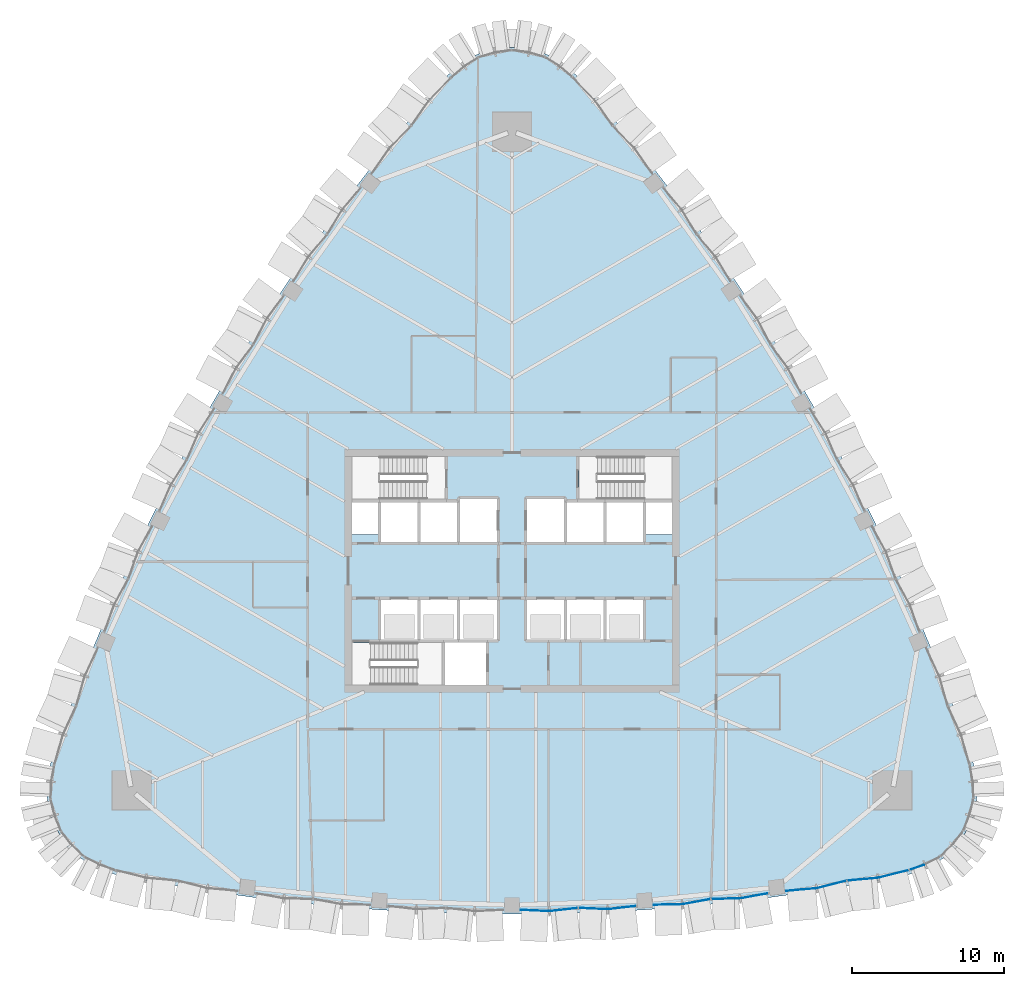
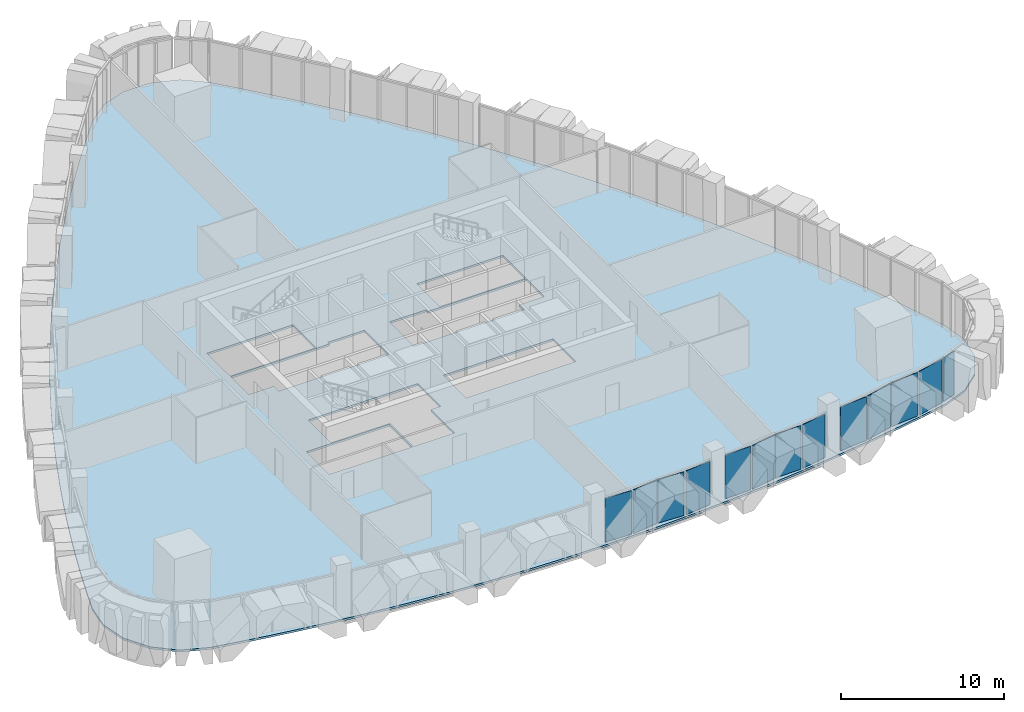
# One storey, part 9 of 18: 13 plates, 1 slab, 4 elements without a shape of their own.
"""IFC4 building model written with IfcOpenShell, lengths in metres."""

from ifc_helpers import new_model, si_unit, direction, frame, origin, place, context, subcontext, project, spatial, polyline, outline, extrude, material, layer, layer_set, type_object, element, aggregate, save


model = new_model("IFC4")

# Units and contexts
model_context = context("Model", 3, precision=1e-05, world=origin(), true_north=direction((0.0, 1.0)))
body_context = subcontext(model_context, "Body", "Model", "MODEL_VIEW")
ifc_project = project(units=[si_unit("LENGTHUNIT", "METRE"), si_unit("AREAUNIT", "SQUARE_METRE"), si_unit("VOLUMEUNIT", "CUBIC_METRE"), si_unit("PLANEANGLEUNIT", "RADIAN"), si_unit("MASSUNIT", "GRAM", prefix="KILO")], contexts=[model_context])

# Site, building, storey
site_placement = place(None, origin())
site = spatial("IfcSite", under=ifc_project, at=site_placement, CompositionType="ELEMENT")
building_placement = place(site_placement, origin())
building = spatial("IfcBuilding", under=site, at=building_placement, Name="Sierra Prisma Convention Tower", CompositionType="ELEMENT")
storey_placement = place(building_placement, frame((0.0, 0.0, 129.800048828125)))
storey = spatial("IfcBuildingStorey", under=building, at=storey_placement, Name="L27", CompositionType="ELEMENT", Elevation=129.800048828125)

# Curtain wall, plates
ifc_material_1 = material(Name="Aluminium and glass curtain wall", Category="aluminium")
ifc_layer_1 = layer(ifc_material_1, 0.179931640625)
ifc_layer_set_1 = layer_set([ifc_layer_1], Name="CW-2 Faceted crystal curtain wall")
curtain_wall_type = type_object("IfcCurtainWallType", Name="CW-2 Faceted crystal curtain wall", PredefinedType="NOTDEFINED", material=ifc_layer_set_1)
curtain_wall_1_placement = place(storey_placement, origin())
curtain_wall_1 = element("IfcCurtainWall", 1, at=curtain_wall_1_placement, inside=storey, type_object=curtain_wall_type, Name="CW-2 S4 L27", PredefinedType="NOTDEFINED")
ifc_material_2 = material(Name="Tinted glass bronze-grey IGU", Category="glass")
ifc_layer_2 = layer(ifc_material_2, 0.028076171875)
ifc_layer_set_2 = layer_set([ifc_layer_2], Name="CW-2 crystal pane")
plate_type = type_object("IfcPlateType", Name="CW-2 crystal pane", PredefinedType="CURTAIN_PANEL", material=ifc_layer_set_2)
plate_1_placement = place(storey_placement, frame((0.569580078125, -22.27099609375, 0.0), z_axis=(-0.045066945971, -0.998983969031, 0.0), x_axis=(0.998983969031, -0.045066945971, 0.0)))
plate_1 = element("IfcPlate", 2, at=plate_1_placement, type_object=plate_type, Name="CW-2 pane S4.1.1", PredefinedType="CURTAIN_PANEL", context=body_context, shape_type="SweptSolid", body=[
    extrude(outline(polyline([(0.0, 0.0), (1.8202087634738366, 0.0), (1.8202087634738366, 3.280029296875), (0.0, 3.280029296875), (0.0, 0.0)])), origin(), (0.0, 0.0, -1.0), 0.028076171875),
])
plate_2_placement = place(storey_placement, frame((4.326416015625, -22.145263671875, 0.0), z_axis=(0.111726892384, -0.993738950388, 0.0), x_axis=(-0.993738950388, -0.111726892384, 0.0)))
plate_2 = element("IfcPlate", 3, at=plate_2_placement, type_object=plate_type, Name="CW-2 pane S4.1.2", PredefinedType="CURTAIN_PANEL", context=body_context, shape_type="SweptSolid", body=[
    extrude(outline(polyline([(0.0, 0.0), (1.8202344689405403, 0.0), (1.8202344689405403, -3.280029296875001), (0.0, -3.280029296875001), (0.0, 0.0)])), origin(), (0.0, 0.0, -1.0), 0.028076171875),
])
plate_3_placement = place(storey_placement, frame((4.396240234375, -22.142822265625, 0.0), z_axis=(-0.045066945971, -0.998983969031, 0.0), x_axis=(0.998983969031, -0.045066945971, 0.0)))
plate_3 = element("IfcPlate", 4, at=plate_3_placement, type_object=plate_type, Name="CW-2 pane S4.2.1", PredefinedType="CURTAIN_PANEL", context=body_context, shape_type="SweptSolid", body=[
    extrude(outline(polyline([(0.0, 0.0), (1.8202087634738366, 0.0), (1.8202087634738366, 3.280029296875), (0.0, 3.280029296875), (0.0, 0.0)])), origin(), (0.0, 0.0, -1.0), 0.028076171875),
])
plate_4_placement = place(storey_placement, frame((8.153076171875, -22.01708984375, 0.0), z_axis=(0.111726892384, -0.993738950388, 0.0), x_axis=(-0.993738950388, -0.111726892384, 0.0)))
plate_4 = element("IfcPlate", 5, at=plate_4_placement, type_object=plate_type, Name="CW-2 pane S4.2.2", PredefinedType="CURTAIN_PANEL", context=body_context, shape_type="SweptSolid", body=[
    extrude(outline(polyline([(0.0, 0.0), (1.8202344689405403, 0.0), (1.8202344689405403, -3.280029296875001), (0.0, -3.280029296875001), (0.0, 0.0)])), origin(), (0.0, 0.0, -1.0), 0.028076171875),
])
aggregate(curtain_wall_1, [plate_1, plate_2, plate_3, plate_4])

curtain_wall_2_placement = place(storey_placement, origin())
curtain_wall_2 = element("IfcCurtainWall", 6, at=curtain_wall_2_placement, inside=storey, type_object=curtain_wall_type, Name="CW-2 S5 L27", PredefinedType="NOTDEFINED")
plate_5_placement = place(storey_placement, frame((9.302490234375, -21.9404296875, 0.0), z_axis=(0.021824742425, -0.999761811942, 0.0), x_axis=(0.999761811942, 0.021824742425, 0.0)))
plate_5 = element("IfcPlate", 7, at=plate_5_placement, type_object=plate_type, Name="CW-2 pane S5.1.1", PredefinedType="CURTAIN_PANEL", context=body_context, shape_type="SweptSolid", body=[
    extrude(outline(polyline([(0.0, 0.0), (1.8121992223379895, 0.0), (1.8121992223379895, 3.280029296875001), (0.0, 3.280029296875001), (0.0, 0.0)])), origin(), (0.0, 0.0, -1.0), 0.028076171875),
])
plate_6_placement = place(storey_placement, frame((13.0263671875, -21.5654296875, 0.0), z_axis=(0.177972460821, -0.984035468461, 0.0), x_axis=(-0.984035468461, -0.177972460821, 0.0)))
plate_6 = element("IfcPlate", 8, at=plate_6_placement, type_object=plate_type, Name="CW-2 pane S5.1.2", PredefinedType="CURTAIN_PANEL", context=body_context, shape_type="SweptSolid", body=[
    extrude(outline(polyline([(0.0, 0.0), (1.8121329790976317, 0.0), (1.8121329790976317, -3.280029296875001), (0.0, -3.280029296875001), (0.0, 0.0)])), origin(), (0.0, 0.0, -1.0), 0.028076171875),
])
plate_7_placement = place(storey_placement, frame((13.095947265625, -21.55859375, 0.0), z_axis=(0.021824742425, -0.999761811942, 0.0), x_axis=(0.999761811942, 0.021824742425, 0.0)))
plate_7 = element("IfcPlate", 9, at=plate_7_placement, type_object=plate_type, Name="CW-2 pane S5.2.1", PredefinedType="CURTAIN_PANEL", context=body_context, shape_type="SweptSolid", body=[
    extrude(outline(polyline([(0.0, 0.0), (1.8121992223379895, 0.0), (1.8121992223379895, 3.280029296875001), (0.0, 3.280029296875001), (0.0, 0.0)])), origin(), (0.0, 0.0, -1.0), 0.028076171875),
])
plate_8_placement = place(storey_placement, frame((16.81982421875, -21.18359375, 0.0), z_axis=(0.177841997897, -0.984059055029, 0.0), x_axis=(-0.984059055029, -0.177841997897, 0.0)))
plate_8 = element("IfcPlate", 10, at=plate_8_placement, type_object=plate_type, Name="CW-2 pane S5.2.2", PredefinedType="CURTAIN_PANEL", context=body_context, shape_type="SweptSolid", body=[
    extrude(outline(polyline([(0.0, 0.0), (1.8120895447152734, 0.0), (1.8120895447152734, -3.280029296875), (0.0, -3.280029296875), (0.0, 0.0)])), origin(), (0.0, 0.0, -1.0), 0.028076171875),
])
aggregate(curtain_wall_2, [plate_5, plate_6, plate_7, plate_8])

curtain_wall_3_placement = place(storey_placement, origin())
curtain_wall_3 = element("IfcCurtainWall", 11, at=curtain_wall_3_placement, inside=storey, type_object=curtain_wall_type, Name="CW-2 S6 L27", PredefinedType="NOTDEFINED")
plate_9_placement = place(storey_placement, frame((17.99365234375, -21.027099609375, 0.0), z_axis=(0.088694464455, -0.996058879773, 0.0), x_axis=(0.996058879773, 0.088694464455, 0.0)))
plate_9 = element("IfcPlate", 12, at=plate_9_placement, type_object=plate_type, Name="CW-2 pane S6.1.1", PredefinedType="CURTAIN_PANEL", context=body_context, shape_type="SweptSolid", body=[
    extrude(outline(polyline([(0.0, 0.0), (1.9488427328883906, 0.0), (1.9488427328883906, 3.280029296875001), (0.0, 3.280029296875001), (0.0, 0.0)])), origin(), (0.0, 0.0, -1.0), 0.028076171875),
])
plate_10_placement = place(storey_placement, frame((21.952880859375, -20.3583984375, 0.0), z_axis=(0.24339028167, -0.969928435911, 0.0), x_axis=(-0.969928435911, -0.24339028167, 0.0)))
plate_10 = element("IfcPlate", 13, at=plate_10_placement, type_object=plate_type, Name="CW-2 pane S6.1.2", PredefinedType="CURTAIN_PANEL", context=body_context, shape_type="SweptSolid", body=[
    extrude(outline(polyline([(0.0, 0.0), (1.9489900382185157, 0.0), (1.9489900382185157, -3.280029296875), (0.0, -3.280029296875), (0.0, 0.0)])), origin(), (0.0, 0.0, -1.0), 0.028076171875),
])
plate_11_placement = place(storey_placement, frame((22.021728515625, -20.346923828125, 0.0), z_axis=(0.088694464455, -0.996058879773, 0.0), x_axis=(0.996058879773, 0.088694464455, 0.0)))
plate_11 = element("IfcPlate", 14, at=plate_11_placement, type_object=plate_type, Name="CW-2 pane S6.2.1", PredefinedType="CURTAIN_PANEL", context=body_context, shape_type="SweptSolid", body=[
    extrude(outline(polyline([(0.0, 0.0), (1.9488427328883906, 0.0), (1.9488427328883906, 3.280029296875001), (0.0, 3.280029296875001), (0.0, 0.0)])), origin(), (0.0, 0.0, -1.0), 0.028076171875),
])
plate_12_placement = place(storey_placement, frame((25.98095703125, -19.67822265625, 0.0), z_axis=(0.243419856651, -0.969921013994, 0.0), x_axis=(-0.969921013994, -0.243419856651, 0.0)))
plate_12 = element("IfcPlate", 15, at=plate_12_placement, type_object=plate_type, Name="CW-2 pane S6.2.2", PredefinedType="CURTAIN_PANEL", context=body_context, shape_type="SweptSolid", body=[
    extrude(outline(polyline([(0.0, 0.0), (1.948753240189908, 0.0), (1.948753240189908, -3.280029296875), (0.0, -3.280029296875), (0.0, 0.0)])), origin(), (0.0, 0.0, -1.0), 0.028076171875),
])
aggregate(curtain_wall_3, [plate_9, plate_10, plate_11, plate_12])

# Curtain wall, plate
curtain_wall_4_placement = place(storey_placement, origin())
curtain_wall_4 = element("IfcCurtainWall", 16, at=curtain_wall_4_placement, inside=storey, type_object=curtain_wall_type, Name="CW-2 SE1 L27", PredefinedType="NOTDEFINED")
plate_13_placement = place(storey_placement, frame((26.114013671875, -19.638671875, 0.0), z_axis=(0.327795115624, -0.944748835497, 0.0), x_axis=(0.944748835497, 0.327795115624, 0.0)))
plate_13 = element("IfcPlate", 17, at=plate_13_placement, type_object=plate_type, Name="CW-2 pane SE1.1.1", PredefinedType="CURTAIN_PANEL", context=body_context, shape_type="SweptSolid", body=[
    extrude(outline(polyline([(0.0, 0.0), (0.9920688167686467, 0.0), (0.9920688167686467, 3.280029296875), (0.0, 3.280029296875), (0.0, 0.0)])), origin(), (0.0, 0.0, -1.0), 0.028076171875),
])
aggregate(curtain_wall_4, [plate_13])

# Slab
ifc_material_3 = material(Name="Concrete C35/45", Category="concrete")
ifc_layer_3 = layer(ifc_material_3, 0.14990234375)
ifc_layer_set_3 = layer_set([ifc_layer_3], Name="Composite floor slab 150")
slab_type = type_object("IfcSlabType", Name="Composite floor slab 150", PredefinedType="FLOOR", material=ifc_layer_set_3)
slab_placement = place(storey_placement, frame((0.0, 0.0, -0.150146484375)))
element("IfcSlab", 18, at=slab_placement, inside=storey, type_object=slab_type, Name="Floor slab L27 floor", PredefinedType="FLOOR", context=body_context, shape_type="SweptSolid", body=[
    extrude(outline(polyline([(-26.099853515625, -19.91162109375), (-24.189697265625, -20.285400390625), (-22.274169921875, -20.630859375), (-20.353759765625, -20.947998046875), (-18.428955078125, -21.236328125), (-16.5, -21.495849609375), (-14.5673828125, -21.726806640625), (-12.631591796875, -21.92919921875), (-10.693115234375, -22.1025390625), (-8.752197265625, -22.2470703125), (-6.80908203125, -22.36279296875), (-4.86474609375, -22.449462890625), (-2.919189453125, -22.50732421875), (-0.97314453125, -22.536376953125), (0.97314453125, -22.536376953125), (2.919189453125, -22.50732421875), (4.86474609375, -22.449462890625), (6.80908203125, -22.36279296875), (8.752197265625, -22.2470703125), (10.693115234375, -22.1025390625), (12.631591796875, -21.92919921875), (14.5673828125, -21.726806640625), (16.5, -21.495849609375), (18.428955078125, -21.236328125), (20.353759765625, -20.947998046875), (22.274169921875, -20.630859375), (24.189697265625, -20.285400390625), (26.099853515625, -19.91162109375), (27.859130859375, -19.229248046875), (29.291748046875, -18.001220703125), (30.2353515625, -16.366943359375), (30.58251953125, -14.51220703125), (30.2939453125, -12.647216796875), (29.66259765625, -10.80615234375), (29.004150390625, -8.974609375), (28.318359375, -7.153076171875), (27.605712890625, -5.341796875), (26.865966796875, -3.54150390625), (26.099853515625, -1.75244140625), (25.306884765625, 0.025146484375), (24.48779296875, 1.790771484375), (23.642578125, 3.5439453125), (22.771240234375, 5.284423828125), (21.874267578125, 7.01171875), (20.95166015625, 8.7255859375), (20.003662109375, 10.42529296875), (19.030517578125, 12.111083984375), (18.032470703125, 13.781982421875), (17.009521484375, 15.437744140625), (15.962158203125, 17.078369140625), (14.890380859375, 18.703125), (13.794921875, 20.311767578125), (12.67529296875, 21.90380859375), (11.5322265625, 23.479248046875), (10.365966796875, 25.037353515625), (9.176513671875, 26.578125), (7.96435546875, 28.100830078125), (6.729736328125, 29.60546875), (5.472900390625, 31.091552734375), (4.194091796875, 32.558837890625), (2.723388671875, 33.7412109375), (0.943603515625, 34.3681640625), (-0.943603515625, 34.3681640625), (-2.723388671875, 33.7412109375), (-4.194091796875, 32.558837890625), (-5.472900390625, 31.091552734375), (-6.729736328125, 29.60546875), (-7.96435546875, 28.100830078125), (-9.176513671875, 26.578125), (-10.365966796875, 25.037353515625), (-11.5322265625, 23.479248046875), (-12.67529296875, 21.90380859375), (-13.794921875, 20.311767578125), (-14.890380859375, 18.703125), (-15.962158203125, 17.078369140625), (-17.009521484375, 15.437744140625), (-18.032470703125, 13.781982421875), (-19.030517578125, 12.111083984375), (-20.003662109375, 10.42529296875), (-20.95166015625, 8.7255859375), (-21.874267578125, 7.01171875), (-22.771240234375, 5.284423828125), (-23.642578125, 3.5439453125), (-24.48779296875, 1.790771484375), (-25.306884765625, 0.025146484375), (-26.099853515625, -1.75244140625), (-26.865966796875, -3.54150390625), (-27.605712890625, -5.341796875), (-28.318359375, -7.153076171875), (-29.004150390625, -8.974609375), (-29.66259765625, -10.80615234375), (-30.2939453125, -12.647216796875), (-30.58251953125, -14.51220703125), (-30.2353515625, -16.366943359375), (-29.291748046875, -18.001220703125), (-27.859130859375, -19.229248046875), (-26.099853515625, -19.91162109375)]), holes=[polyline([(-4.60009765625, -7.5), (-10.5, -7.5), (-10.5, -4.699951171875), (-4.60009765625, -4.699951171875), (-4.60009765625, -7.5)]), polyline([(-8.699951171875, -4.60009765625), (-8.699951171875, -1.800048828125), (-6.10009765625, -1.800048828125), (-3.5, -1.800048828125), (-0.89990234375, -1.800048828125), (-0.89990234375, -4.60009765625), (-1.60009765625, -4.60009765625), (-1.60009765625, -7.5), (-4.5, -7.5), (-4.5, -4.60009765625), (-6.10009765625, -4.60009765625), (-8.699951171875, -4.60009765625)]), polyline([(-10.5, 4.60009765625), (-8.699951171875, 4.60009765625), (-6.10009765625, 4.60009765625), (-3.5, 4.60009765625), (-3.5, 4.800048828125), (-0.89990234375, 4.800048828125), (-0.89990234375, 1.800048828125), (-3.5, 1.800048828125), (-6.10009765625, 1.800048828125), (-8.699951171875, 1.800048828125), (-8.699951171875, 2.39990234375), (-10.5, 2.39990234375), (-10.5, 4.60009765625)]), polyline([(-10.5, 4.699951171875), (-10.5, 7.5), (-4.39990234375, 7.5), (-4.39990234375, 4.699951171875), (-10.5, 4.699951171875)]), polyline([(6.10009765625, -1.800048828125), (8.699951171875, -1.800048828125), (8.699951171875, -4.60009765625), (6.10009765625, -4.60009765625), (3.5, -4.60009765625), (0.89990234375, -4.60009765625), (0.89990234375, -1.800048828125), (3.5, -1.800048828125), (6.10009765625, -1.800048828125)]), polyline([(8.699951171875, 4.60009765625), (10.5, 4.60009765625), (10.5, 2.39990234375), (8.699951171875, 2.39990234375), (8.699951171875, 1.800048828125), (6.10009765625, 1.800048828125), (3.5, 1.800048828125), (0.89990234375, 1.800048828125), (0.89990234375, 4.800048828125), (3.5, 4.800048828125), (3.5, 4.60009765625), (6.10009765625, 4.60009765625), (8.699951171875, 4.60009765625)]), polyline([(4.39990234375, 4.699951171875), (4.39990234375, 7.5), (10.5, 7.5), (10.5, 4.699951171875), (4.39990234375, 4.699951171875)])]), origin(), (0.0, 0.0, 1.0), 0.150146484375),
])

save(model, "model.ifc")
